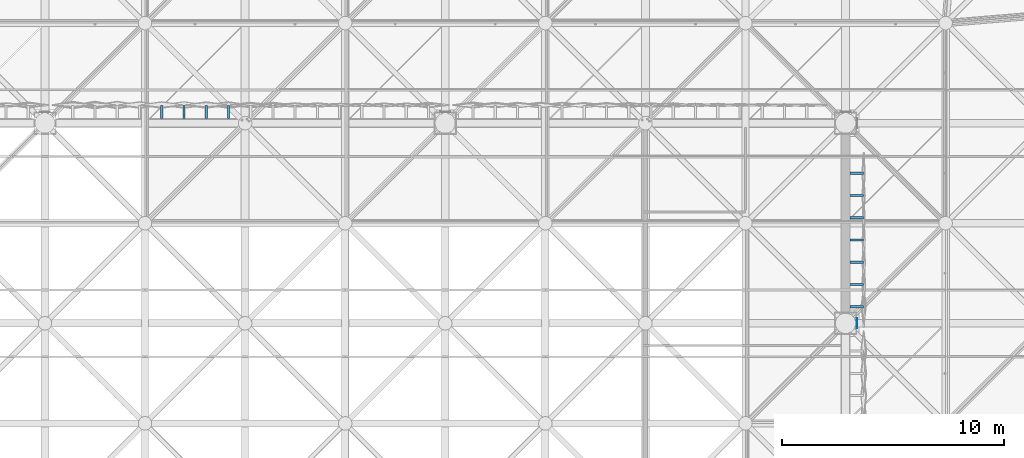
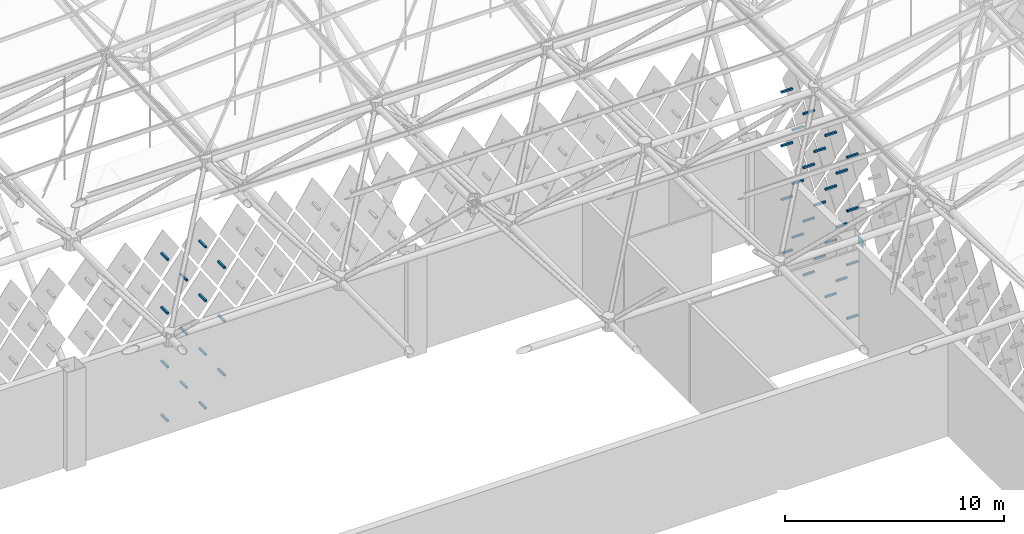
# One storey, part 396 of 437: 40 discrete accessories.
"""IFC4 building model written with IfcOpenShell, lengths in metres."""

from ifc_helpers import new_model, si_unit, direction, frame, origin, place, context, subcontext, project, spatial, polyline, outline, extrude, material, layer, layer_set, type_object, element, save


model = new_model("IFC4")

# Units and contexts
model_context = context("Model", 3, precision=1e-05, world=origin(), true_north=direction((0.0, 1.0)))
body_context = subcontext(model_context, "Body", "Model", "MODEL_VIEW")
ifc_project = project(units=[si_unit("LENGTHUNIT", "METRE"), si_unit("AREAUNIT", "SQUARE_METRE"), si_unit("VOLUMEUNIT", "CUBIC_METRE"), si_unit("PLANEANGLEUNIT", "RADIAN"), si_unit("MASSUNIT", "GRAM", prefix="KILO")], contexts=[model_context])

# Site, building, storey
site_placement = place(None, origin())
site = spatial("IfcSite", under=ifc_project, at=site_placement, CompositionType="ELEMENT")
building_placement = place(site_placement, origin())
building = spatial("IfcBuilding", under=site, at=building_placement, Name="Opaline Strait Convention Centre", CompositionType="ELEMENT")
storey_placement = place(building_placement, frame((0.0, 0.0, 11.5)))
storey = spatial("IfcBuildingStorey", under=building, at=storey_placement, Name="L02", CompositionType="ELEMENT", Elevation=11.5)

# Discrete accessories
ifc_material_1 = material(Name="Structural steel Q355B", Category="steel")
ifc_layer = layer(ifc_material_1, 0.01611328125)
ifc_layer_set = layer_set([ifc_layer], Name="Structural steel Q355B")
discrete_accessory_type_1 = type_object("IfcDiscreteAccessoryType", Name="Prop bearing plate 450 x 450 x 16", PredefinedType="ANCHORPLATE", material=ifc_layer_set)
discrete_accessory_1_placement = place(storey_placement, frame((0.0, 0.0, 4.79541015625)))
element("IfcDiscreteAccessory", 1, at=discrete_accessory_1_placement, inside=storey, type_object=discrete_accessory_type_1, Name="Prop bearing plate 261/144 E", PredefinedType="ANCHORPLATE", context=body_context, shape_type="SweptSolid", body=[
    extrude(outline(polyline([(261.5, 143.77490234375), (261.51611328125, 143.77490234375), (261.51611328125, 144.22509765625), (261.5, 144.22509765625), (261.5, 143.77490234375)])), origin(), (0.0, 0.0, 1.0), 0.4501953125),
])
ifc_material_2 = material(Name="Steel Q355B", Category="steel")
discrete_accessory_type_2 = type_object("IfcDiscreteAccessoryType", Name="Tile bracket 100x100 steel", PredefinedType="BRACKET", material=ifc_material_2)
discrete_accessory_2_placement = place(storey_placement, frame((232.300048828125, 153.199951171875, 0.39208984375), z_axis=(-1.0, 0.0, 0.0), x_axis=(0.0, -1.0, 0.0)))
element("IfcDiscreteAccessory", 2, at=discrete_accessory_2_placement, inside=storey, type_object=discrete_accessory_type_2, Name="Tile bracket XT11 N", PredefinedType="BRACKET", context=body_context, shape_type="SweptSolid", body=[
    extrude(outline(polyline([(0.0, -0.050048828125), (0.0, 0.050048828125), (-0.59521484375, 0.050048828125), (-0.604736328125, -0.050048828125), (0.0, -0.050048828125)])), origin(), (0.0, 0.0, 1.0), 0.10009765625),
])
discrete_accessory_3_placement = place(storey_placement, frame((230.300048828125, 153.199951171875, 0.39208984375), z_axis=(-1.0, 0.0, 0.0), x_axis=(0.0, -1.0, 0.0)))
element("IfcDiscreteAccessory", 3, at=discrete_accessory_3_placement, inside=storey, type_object=discrete_accessory_type_2, Name="Tile bracket XT09 N", PredefinedType="BRACKET", context=body_context, shape_type="SweptSolid", body=[
    extrude(outline(polyline([(0.0, -0.050048828125), (0.0, 0.050048828125), (-0.595947265625, 0.050048828125), (-0.60400390625, -0.050048828125), (0.0, -0.050048828125)])), origin(), (0.0, 0.0, 1.0), 0.10009765625),
])
discrete_accessory_4_placement = place(storey_placement, frame((233.300048828125, 153.199951171875, 1.89208984375), z_axis=(-1.0, 0.0, 0.0), x_axis=(0.0, -1.0, 0.0)))
element("IfcDiscreteAccessory", 4, at=discrete_accessory_4_placement, inside=storey, type_object=discrete_accessory_type_2, Name="Tile bracket XT12 N", PredefinedType="BRACKET", context=body_context, shape_type="SweptSolid", body=[
    extrude(outline(polyline([(0.0, -0.050048828125), (0.0, 0.050048828125), (-0.5947265625, 0.050048828125), (-0.605224609375, -0.050048828125), (0.0, -0.050048828125)])), origin(), (0.0, 0.0, 1.0), 0.10009765625),
])
discrete_accessory_5_placement = place(storey_placement, frame((231.300048828125, 153.199951171875, 1.89208984375), z_axis=(-1.0, 0.0, 0.0), x_axis=(0.0, -1.0, 0.0)))
element("IfcDiscreteAccessory", 5, at=discrete_accessory_5_placement, inside=storey, type_object=discrete_accessory_type_2, Name="Tile bracket XT11 N", PredefinedType="BRACKET", context=body_context, shape_type="SweptSolid", body=[
    extrude(outline(polyline([(0.0, -0.050048828125), (0.0, 0.050048828125), (-0.59521484375, 0.050048828125), (-0.604736328125, -0.050048828125), (0.0, -0.050048828125)])), origin(), (0.0, 0.0, 1.0), 0.10009765625),
])
for number, where, z_axis, x_axis, name in (
    (6, (232.300048828125, 153.199951171875, 3.39208984375), (-1.0, 0.0, 0.0), (0.0, -1.0, 0.0), "Tile bracket XT12 N"),
    (7, (230.300048828125, 153.199951171875, 3.39208984375), (-1.0, 0.0, 0.0), (0.0, -1.0, 0.0), "Tile bracket XT12 N"),
):
    element("IfcDiscreteAccessory", number, at=place(storey_placement, frame(where, z_axis=z_axis, x_axis=x_axis)), inside=storey, type_object=discrete_accessory_type_2, Name=name, PredefinedType="BRACKET", context=body_context, shape_type="SweptSolid", body=[
        extrude(outline(polyline([(0.0, -0.050048828125), (0.0, 0.050048828125), (-0.5947265625, 0.050048828125), (-0.605224609375, -0.050048828125), (0.0, -0.050048828125)])), origin(), (0.0, 0.0, 1.0), 0.10009765625),
    ])
discrete_accessory_6_placement = place(storey_placement, frame((233.300048828125, 153.199951171875, 4.89208984375), z_axis=(-1.0, 0.0, 0.0), x_axis=(0.0, -1.0, 0.0)))
element("IfcDiscreteAccessory", 8, at=discrete_accessory_6_placement, inside=storey, type_object=discrete_accessory_type_2, Name="Tile bracket XT11 N", PredefinedType="BRACKET", context=body_context, shape_type="SweptSolid", body=[
    extrude(outline(polyline([(0.0, -0.050048828125), (0.0, 0.050048828125), (-0.59521484375, 0.050048828125), (-0.604736328125, -0.050048828125), (0.0, -0.050048828125)])), origin(), (0.0, 0.0, 1.0), 0.10009765625),
])
discrete_accessory_7_placement = place(storey_placement, frame((231.300048828125, 153.199951171875, 4.89208984375), z_axis=(-1.0, 0.0, 0.0), x_axis=(0.0, -1.0, 0.0)))
element("IfcDiscreteAccessory", 9, at=discrete_accessory_7_placement, inside=storey, type_object=discrete_accessory_type_2, Name="Tile bracket XT12 N", PredefinedType="BRACKET", context=body_context, shape_type="SweptSolid", body=[
    extrude(outline(polyline([(0.0, -0.050048828125), (0.0, 0.050048828125), (-0.5947265625, 0.050048828125), (-0.605224609375, -0.050048828125), (0.0, -0.050048828125)])), origin(), (0.0, 0.0, 1.0), 0.10009765625),
])
discrete_accessory_8_placement = place(storey_placement, frame((232.300048828125, 153.199951171875, 6.39208984375), z_axis=(-1.0, 0.0, 0.0), x_axis=(0.0, -1.0, 0.0)))
element("IfcDiscreteAccessory", 10, at=discrete_accessory_8_placement, inside=storey, type_object=discrete_accessory_type_2, Name="Tile bracket XT11 N", PredefinedType="BRACKET", context=body_context, shape_type="SweptSolid", body=[
    extrude(outline(polyline([(0.0, -0.050048828125), (0.0, 0.050048828125), (-0.59521484375, 0.050048828125), (-0.604736328125, -0.050048828125), (0.0, -0.050048828125)])), origin(), (0.0, 0.0, 1.0), 0.10009765625),
])
discrete_accessory_9_placement = place(storey_placement, frame((230.300048828125, 153.199951171875, 6.39208984375), z_axis=(-1.0, 0.0, 0.0), x_axis=(0.0, -1.0, 0.0)))
element("IfcDiscreteAccessory", 11, at=discrete_accessory_9_placement, inside=storey, type_object=discrete_accessory_type_2, Name="Tile bracket XT12 N", PredefinedType="BRACKET", context=body_context, shape_type="SweptSolid", body=[
    extrude(outline(polyline([(0.0, -0.050048828125), (0.0, 0.050048828125), (-0.5947265625, 0.050048828125), (-0.605224609375, -0.050048828125), (0.0, -0.050048828125)])), origin(), (0.0, 0.0, 1.0), 0.10009765625),
])
discrete_accessory_10_placement = place(storey_placement, frame((233.300048828125, 153.199951171875, 7.89208984375), z_axis=(-1.0, 0.0, 0.0), x_axis=(0.0, -1.0, 0.0)))
element("IfcDiscreteAccessory", 12, at=discrete_accessory_10_placement, inside=storey, type_object=discrete_accessory_type_2, Name="Tile bracket XT08 N", PredefinedType="BRACKET", context=body_context, shape_type="SweptSolid", body=[
    extrude(outline(polyline([(0.0, -0.050048828125), (0.0, 0.050048828125), (-0.596435546875, 0.050048828125), (-0.603515625, -0.050048828125), (0.0, -0.050048828125)])), origin(), (0.0, 0.0, 1.0), 0.10009765625),
])
discrete_accessory_11_placement = place(storey_placement, frame((231.300048828125, 153.199951171875, 7.89208984375), z_axis=(-1.0, 0.0, 0.0), x_axis=(0.0, -1.0, 0.0)))
element("IfcDiscreteAccessory", 13, at=discrete_accessory_11_placement, inside=storey, type_object=discrete_accessory_type_2, Name="Tile bracket XT11 N", PredefinedType="BRACKET", context=body_context, shape_type="SweptSolid", body=[
    extrude(outline(polyline([(0.0, -0.050048828125), (0.0, 0.050048828125), (-0.59521484375, 0.050048828125), (-0.604736328125, -0.050048828125), (0.0, -0.050048828125)])), origin(), (0.0, 0.0, 1.0), 0.10009765625),
])
discrete_accessory_12_placement = place(storey_placement, frame((232.300048828125, 153.199951171875, 9.39208984375), z_axis=(-1.0, 0.0, 0.0), x_axis=(0.0, -1.0, 0.0)))
element("IfcDiscreteAccessory", 14, at=discrete_accessory_12_placement, inside=storey, type_object=discrete_accessory_type_2, Name="Tile bracket XT08 N", PredefinedType="BRACKET", context=body_context, shape_type="SweptSolid", body=[
    extrude(outline(polyline([(0.0, -0.050048828125), (0.0, 0.050048828125), (-0.596435546875, 0.050048828125), (-0.603515625, -0.050048828125), (0.0, -0.050048828125)])), origin(), (0.0, 0.0, 1.0), 0.10009765625),
])
discrete_accessory_13_placement = place(storey_placement, frame((230.300048828125, 153.199951171875, 9.39208984375), z_axis=(-1.0, 0.0, 0.0), x_axis=(0.0, -1.0, 0.0)))
element("IfcDiscreteAccessory", 15, at=discrete_accessory_13_placement, inside=storey, type_object=discrete_accessory_type_2, Name="Tile bracket XT10 N", PredefinedType="BRACKET", context=body_context, shape_type="SweptSolid", body=[
    extrude(outline(polyline([(0.0, -0.050048828125), (0.0, 0.050048828125), (-0.595703125, 0.050048828125), (-0.604248046875, -0.050048828125), (0.0, -0.050048828125)])), origin(), (0.0, 0.0, 1.0), 0.10009765625),
])
discrete_accessory_14_placement = place(storey_placement, frame((261.199951171875, 144.699951171875, 0.39208984375), z_axis=(0.0, 1.0, 0.0), x_axis=(-1.0, 0.0, 0.0)))
element("IfcDiscreteAccessory", 16, at=discrete_accessory_14_placement, inside=storey, type_object=discrete_accessory_type_2, Name="Tile bracket XT03 E", PredefinedType="BRACKET", context=body_context, shape_type="SweptSolid", body=[
    extrude(outline(polyline([(0.0, -0.050048828125), (0.0, 0.050048828125), (-0.5986328125, 0.050048828125), (-0.601318359375, -0.050048828125), (0.0, -0.050048828125)])), origin(), (0.0, 0.0, 1.0), 0.10009765625),
])
discrete_accessory_15_placement = place(storey_placement, frame((261.199951171875, 146.699951171875, 0.39208984375), z_axis=(0.0, 1.0, 0.0), x_axis=(-1.0, 0.0, 0.0)))
element("IfcDiscreteAccessory", 17, at=discrete_accessory_15_placement, inside=storey, type_object=discrete_accessory_type_2, Name="Tile bracket XT04 E", PredefinedType="BRACKET", context=body_context, shape_type="SweptSolid", body=[
    extrude(outline(polyline([(0.0, -0.050048828125), (0.0, 0.050048828125), (-0.59814453125, 0.050048828125), (-0.601806640625, -0.050048828125), (0.0, -0.050048828125)])), origin(), (0.0, 0.0, 1.0), 0.10009765625),
])
discrete_accessory_16_placement = place(storey_placement, frame((261.199951171875, 148.699951171875, 0.39208984375), z_axis=(0.0, 1.0, 0.0), x_axis=(-1.0, 0.0, 0.0)))
element("IfcDiscreteAccessory", 18, at=discrete_accessory_16_placement, inside=storey, type_object=discrete_accessory_type_2, Name="Tile bracket XT05 E", PredefinedType="BRACKET", context=body_context, shape_type="SweptSolid", body=[
    extrude(outline(polyline([(0.0, -0.050048828125), (0.0, 0.050048828125), (-0.597900390625, 0.050048828125), (-0.602294921875, -0.050048828125), (0.0, -0.050048828125)])), origin(), (0.0, 0.0, 1.0), 0.10009765625),
])
discrete_accessory_17_placement = place(storey_placement, frame((261.199951171875, 150.699951171875, 0.39208984375), z_axis=(0.0, 1.0, 0.0), x_axis=(-1.0, 0.0, 0.0)))
element("IfcDiscreteAccessory", 19, at=discrete_accessory_17_placement, inside=storey, type_object=discrete_accessory_type_2, Name="Tile bracket XT07 E", PredefinedType="BRACKET", context=body_context, shape_type="SweptSolid", body=[
    extrude(outline(polyline([(0.0, -0.050048828125), (0.0, 0.050048828125), (-0.596923828125, 0.050048828125), (-0.60302734375, -0.050048828125), (0.0, -0.050048828125)])), origin(), (0.0, 0.0, 1.0), 0.10009765625),
])
discrete_accessory_18_placement = place(storey_placement, frame((261.199951171875, 145.699951171875, 1.89208984375), z_axis=(0.0, 1.0, 0.0), x_axis=(-1.0, 0.0, 0.0)))
element("IfcDiscreteAccessory", 20, at=discrete_accessory_18_placement, inside=storey, type_object=discrete_accessory_type_2, Name="Tile bracket XT03 E", PredefinedType="BRACKET", context=body_context, shape_type="SweptSolid", body=[
    extrude(outline(polyline([(0.0, -0.050048828125), (0.0, 0.050048828125), (-0.5986328125, 0.050048828125), (-0.601318359375, -0.050048828125), (0.0, -0.050048828125)])), origin(), (0.0, 0.0, 1.0), 0.10009765625),
])
discrete_accessory_19_placement = place(storey_placement, frame((261.199951171875, 147.699951171875, 1.89208984375), z_axis=(0.0, 1.0, 0.0), x_axis=(-1.0, 0.0, 0.0)))
element("IfcDiscreteAccessory", 21, at=discrete_accessory_19_placement, inside=storey, type_object=discrete_accessory_type_2, Name="Tile bracket XT04 E", PredefinedType="BRACKET", context=body_context, shape_type="SweptSolid", body=[
    extrude(outline(polyline([(0.0, -0.050048828125), (0.0, 0.050048828125), (-0.59814453125, 0.050048828125), (-0.601806640625, -0.050048828125), (0.0, -0.050048828125)])), origin(), (0.0, 0.0, 1.0), 0.10009765625),
])
discrete_accessory_20_placement = place(storey_placement, frame((261.199951171875, 149.699951171875, 1.89208984375), z_axis=(0.0, 1.0, 0.0), x_axis=(-1.0, 0.0, 0.0)))
element("IfcDiscreteAccessory", 22, at=discrete_accessory_20_placement, inside=storey, type_object=discrete_accessory_type_2, Name="Tile bracket XT05 E", PredefinedType="BRACKET", context=body_context, shape_type="SweptSolid", body=[
    extrude(outline(polyline([(0.0, -0.050048828125), (0.0, 0.050048828125), (-0.597900390625, 0.050048828125), (-0.602294921875, -0.050048828125), (0.0, -0.050048828125)])), origin(), (0.0, 0.0, 1.0), 0.10009765625),
])
discrete_accessory_21_placement = place(storey_placement, frame((261.199951171875, 144.699951171875, 3.39208984375), z_axis=(0.0, 1.0, 0.0), x_axis=(-1.0, 0.0, 0.0)))
element("IfcDiscreteAccessory", 23, at=discrete_accessory_21_placement, inside=storey, type_object=discrete_accessory_type_2, Name="Tile bracket XT03 E", PredefinedType="BRACKET", context=body_context, shape_type="SweptSolid", body=[
    extrude(outline(polyline([(0.0, -0.050048828125), (0.0, 0.050048828125), (-0.601318359375, 0.050048828125), (-0.5986328125, -0.050048828125), (0.0, -0.050048828125)])), origin(), (0.0, 0.0, 1.0), 0.10009765625),
])
for number, where, z_axis, x_axis, name in (
    (24, (261.199951171875, 146.699951171875, 3.39208984375), (0.0, 1.0, 0.0), (-1.0, 0.0, 0.0), "Tile bracket XT03 E"),
    (25, (261.199951171875, 148.699951171875, 3.39208984375), (0.0, 1.0, 0.0), (-1.0, 0.0, 0.0), "Tile bracket XT03 E"),
):
    element("IfcDiscreteAccessory", number, at=place(storey_placement, frame(where, z_axis=z_axis, x_axis=x_axis)), inside=storey, type_object=discrete_accessory_type_2, Name=name, PredefinedType="BRACKET", context=body_context, shape_type="SweptSolid", body=[
        extrude(outline(polyline([(0.0, -0.050048828125), (0.0, 0.050048828125), (-0.5986328125, 0.050048828125), (-0.601318359375, -0.050048828125), (0.0, -0.050048828125)])), origin(), (0.0, 0.0, 1.0), 0.10009765625),
    ])
discrete_accessory_22_placement = place(storey_placement, frame((261.199951171875, 150.699951171875, 3.39208984375), z_axis=(0.0, 1.0, 0.0), x_axis=(-1.0, 0.0, 0.0)))
element("IfcDiscreteAccessory", 26, at=discrete_accessory_22_placement, inside=storey, type_object=discrete_accessory_type_2, Name="Tile bracket XT05 E", PredefinedType="BRACKET", context=body_context, shape_type="SweptSolid", body=[
    extrude(outline(polyline([(0.0, -0.050048828125), (0.0, 0.050048828125), (-0.597900390625, 0.050048828125), (-0.602294921875, -0.050048828125), (0.0, -0.050048828125)])), origin(), (0.0, 0.0, 1.0), 0.10009765625),
])
discrete_accessory_23_placement = place(storey_placement, frame((261.199951171875, 145.699951171875, 4.89208984375), z_axis=(0.0, 1.0, 0.0), x_axis=(-1.0, 0.0, 0.0)))
element("IfcDiscreteAccessory", 27, at=discrete_accessory_23_placement, inside=storey, type_object=discrete_accessory_type_2, Name="Tile bracket XT03 E", PredefinedType="BRACKET", context=body_context, shape_type="SweptSolid", body=[
    extrude(outline(polyline([(0.0, -0.050048828125), (0.0, 0.050048828125), (-0.601318359375, 0.050048828125), (-0.5986328125, -0.050048828125), (0.0, -0.050048828125)])), origin(), (0.0, 0.0, 1.0), 0.10009765625),
])
for number, where, z_axis, x_axis, name in (
    (28, (261.199951171875, 147.699951171875, 4.89208984375), (0.0, 1.0, 0.0), (-1.0, 0.0, 0.0), "Tile bracket XT03 E"),
    (29, (261.199951171875, 149.699951171875, 4.89208984375), (0.0, 1.0, 0.0), (-1.0, 0.0, 0.0), "Tile bracket XT03 E"),
):
    element("IfcDiscreteAccessory", number, at=place(storey_placement, frame(where, z_axis=z_axis, x_axis=x_axis)), inside=storey, type_object=discrete_accessory_type_2, Name=name, PredefinedType="BRACKET", context=body_context, shape_type="SweptSolid", body=[
        extrude(outline(polyline([(0.0, -0.050048828125), (0.0, 0.050048828125), (-0.5986328125, 0.050048828125), (-0.601318359375, -0.050048828125), (0.0, -0.050048828125)])), origin(), (0.0, 0.0, 1.0), 0.10009765625),
    ])
discrete_accessory_24_placement = place(storey_placement, frame((261.199951171875, 144.699951171875, 6.39208984375), z_axis=(0.0, 1.0, 0.0), x_axis=(-1.0, 0.0, 0.0)))
element("IfcDiscreteAccessory", 30, at=discrete_accessory_24_placement, inside=storey, type_object=discrete_accessory_type_2, Name="Tile bracket XT05 E", PredefinedType="BRACKET", context=body_context, shape_type="SweptSolid", body=[
    extrude(outline(polyline([(0.0, -0.050048828125), (0.0, 0.050048828125), (-0.602294921875, 0.050048828125), (-0.597900390625, -0.050048828125), (0.0, -0.050048828125)])), origin(), (0.0, 0.0, 1.0), 0.10009765625),
])
discrete_accessory_25_placement = place(storey_placement, frame((261.199951171875, 146.699951171875, 6.39208984375), z_axis=(0.0, 1.0, 0.0), x_axis=(-1.0, 0.0, 0.0)))
element("IfcDiscreteAccessory", 31, at=discrete_accessory_25_placement, inside=storey, type_object=discrete_accessory_type_2, Name="Tile bracket XT03 E", PredefinedType="BRACKET", context=body_context, shape_type="SweptSolid", body=[
    extrude(outline(polyline([(0.0, -0.050048828125), (0.0, 0.050048828125), (-0.601318359375, 0.050048828125), (-0.5986328125, -0.050048828125), (0.0, -0.050048828125)])), origin(), (0.0, 0.0, 1.0), 0.10009765625),
])
discrete_accessory_26_placement = place(storey_placement, frame((261.199951171875, 148.699951171875, 6.39208984375), z_axis=(0.0, 1.0, 0.0), x_axis=(-1.0, 0.0, 0.0)))
element("IfcDiscreteAccessory", 32, at=discrete_accessory_26_placement, inside=storey, type_object=discrete_accessory_type_2, Name="Tile bracket XT02 E", PredefinedType="BRACKET", context=body_context, shape_type="SweptSolid", body=[
    extrude(outline(polyline([(0.0, -0.050048828125), (0.0, 0.050048828125), (-0.59912109375, 0.050048828125), (-0.600830078125, -0.050048828125), (0.0, -0.050048828125)])), origin(), (0.0, 0.0, 1.0), 0.10009765625),
])
discrete_accessory_27_placement = place(storey_placement, frame((261.199951171875, 150.699951171875, 6.39208984375), z_axis=(0.0, 1.0, 0.0), x_axis=(-1.0, 0.0, 0.0)))
element("IfcDiscreteAccessory", 33, at=discrete_accessory_27_placement, inside=storey, type_object=discrete_accessory_type_2, Name="Tile bracket XT03 E", PredefinedType="BRACKET", context=body_context, shape_type="SweptSolid", body=[
    extrude(outline(polyline([(0.0, -0.050048828125), (0.0, 0.050048828125), (-0.5986328125, 0.050048828125), (-0.601318359375, -0.050048828125), (0.0, -0.050048828125)])), origin(), (0.0, 0.0, 1.0), 0.10009765625),
])
discrete_accessory_28_placement = place(storey_placement, frame((261.199951171875, 145.699951171875, 7.89208984375), z_axis=(0.0, 1.0, 0.0), x_axis=(-1.0, 0.0, 0.0)))
element("IfcDiscreteAccessory", 34, at=discrete_accessory_28_placement, inside=storey, type_object=discrete_accessory_type_2, Name="Tile bracket XT06 E", PredefinedType="BRACKET", context=body_context, shape_type="SweptSolid", body=[
    extrude(outline(polyline([(0.0, -0.050048828125), (0.0, 0.050048828125), (-0.6025390625, 0.050048828125), (-0.597412109375, -0.050048828125), (0.0, -0.050048828125)])), origin(), (0.0, 0.0, 1.0), 0.10009765625),
])
discrete_accessory_29_placement = place(storey_placement, frame((261.199951171875, 147.699951171875, 7.89208984375), z_axis=(0.0, 1.0, 0.0), x_axis=(-1.0, 0.0, 0.0)))
element("IfcDiscreteAccessory", 35, at=discrete_accessory_29_placement, inside=storey, type_object=discrete_accessory_type_2, Name="Tile bracket XT03 E", PredefinedType="BRACKET", context=body_context, shape_type="SweptSolid", body=[
    extrude(outline(polyline([(0.0, -0.050048828125), (0.0, 0.050048828125), (-0.601318359375, 0.050048828125), (-0.5986328125, -0.050048828125), (0.0, -0.050048828125)])), origin(), (0.0, 0.0, 1.0), 0.10009765625),
])
discrete_accessory_30_placement = place(storey_placement, frame((261.199951171875, 149.699951171875, 7.89208984375), z_axis=(0.0, 1.0, 0.0), x_axis=(-1.0, 0.0, 0.0)))
element("IfcDiscreteAccessory", 36, at=discrete_accessory_30_placement, inside=storey, type_object=discrete_accessory_type_2, Name="Tile bracket XT02 E", PredefinedType="BRACKET", context=body_context, shape_type="SweptSolid", body=[
    extrude(outline(polyline([(0.0, -0.050048828125), (0.0, 0.050048828125), (-0.59912109375, 0.050048828125), (-0.600830078125, -0.050048828125), (0.0, -0.050048828125)])), origin(), (0.0, 0.0, 1.0), 0.10009765625),
])
discrete_accessory_31_placement = place(storey_placement, frame((261.199951171875, 144.699951171875, 9.39208984375), z_axis=(0.0, 1.0, 0.0), x_axis=(-1.0, 0.0, 0.0)))
element("IfcDiscreteAccessory", 37, at=discrete_accessory_31_placement, inside=storey, type_object=discrete_accessory_type_2, Name="Tile bracket XT08 E", PredefinedType="BRACKET", context=body_context, shape_type="SweptSolid", body=[
    extrude(outline(polyline([(0.0, -0.050048828125), (0.0, 0.050048828125), (-0.603515625, 0.050048828125), (-0.596435546875, -0.050048828125), (0.0, -0.050048828125)])), origin(), (0.0, 0.0, 1.0), 0.10009765625),
])
discrete_accessory_32_placement = place(storey_placement, frame((261.199951171875, 146.699951171875, 9.39208984375), z_axis=(0.0, 1.0, 0.0), x_axis=(-1.0, 0.0, 0.0)))
element("IfcDiscreteAccessory", 38, at=discrete_accessory_32_placement, inside=storey, type_object=discrete_accessory_type_2, Name="Tile bracket XT05 E", PredefinedType="BRACKET", context=body_context, shape_type="SweptSolid", body=[
    extrude(outline(polyline([(0.0, -0.050048828125), (0.0, 0.050048828125), (-0.602294921875, 0.050048828125), (-0.597900390625, -0.050048828125), (0.0, -0.050048828125)])), origin(), (0.0, 0.0, 1.0), 0.10009765625),
])
discrete_accessory_33_placement = place(storey_placement, frame((261.199951171875, 148.699951171875, 9.39208984375), z_axis=(0.0, 1.0, 0.0), x_axis=(-1.0, 0.0, 0.0)))
element("IfcDiscreteAccessory", 39, at=discrete_accessory_33_placement, inside=storey, type_object=discrete_accessory_type_2, Name="Tile bracket XT02 E", PredefinedType="BRACKET", context=body_context, shape_type="SweptSolid", body=[
    extrude(outline(polyline([(0.0, -0.050048828125), (0.0, 0.050048828125), (-0.600830078125, 0.050048828125), (-0.59912109375, -0.050048828125), (0.0, -0.050048828125)])), origin(), (0.0, 0.0, 1.0), 0.10009765625),
])
discrete_accessory_34_placement = place(storey_placement, frame((261.199951171875, 150.699951171875, 9.39208984375), z_axis=(0.0, 1.0, 0.0), x_axis=(-1.0, 0.0, 0.0)))
element("IfcDiscreteAccessory", 40, at=discrete_accessory_34_placement, inside=storey, type_object=discrete_accessory_type_2, Name="Tile bracket XT02 E", PredefinedType="BRACKET", context=body_context, shape_type="SweptSolid", body=[
    extrude(outline(polyline([(0.0, -0.050048828125), (0.0, 0.050048828125), (-0.59912109375, 0.050048828125), (-0.600830078125, -0.050048828125), (0.0, -0.050048828125)])), origin(), (0.0, 0.0, 1.0), 0.10009765625),
])

save(model, "model.ifc")
